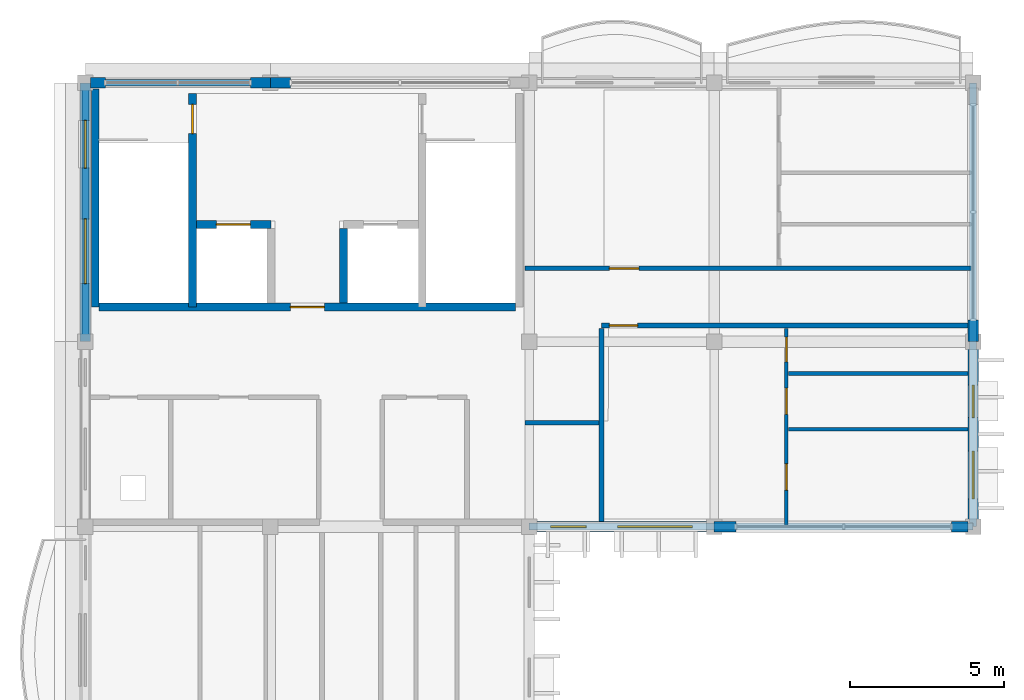
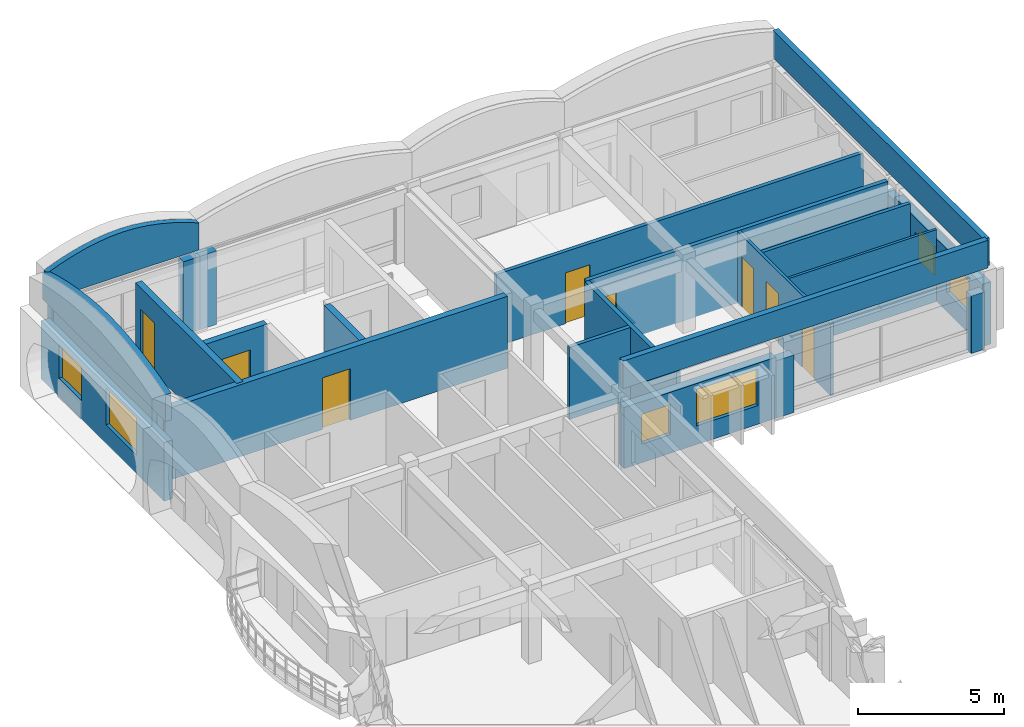
# One storey, part 7 of 12: 25 walls, 8 doors, 6 windows, 14 openings.
"""IFC4 building model written with IfcOpenShell, lengths in metres."""

from ifc_helpers import new_model, si_unit, direction, frame, frame_2d, origin, place, context, subcontext, project, spatial, polyline, rectangle, outline, extrude, material, layer, layer_set, type_object, element, fill, save


model = new_model("IFC4")

# Units and contexts
model_context = context("Model", 3, precision=1e-05, world=origin(), true_north=direction((0.0, 1.0)))
body_context = subcontext(model_context, "Body", "Model", "MODEL_VIEW")
ifc_project = project(units=[si_unit("LENGTHUNIT", "METRE"), si_unit("AREAUNIT", "SQUARE_METRE"), si_unit("VOLUMEUNIT", "CUBIC_METRE"), si_unit("PLANEANGLEUNIT", "RADIAN"), si_unit("MASSUNIT", "GRAM", prefix="KILO"), si_unit("THERMODYNAMICTEMPERATUREUNIT", "KELVIN")], contexts=[model_context])

# Site, building, storey
site_placement = place(None, origin())
site = spatial("IfcSite", under=ifc_project, at=site_placement, CompositionType="ELEMENT")
building_placement = place(site_placement, origin())
building = spatial("IfcBuilding", under=site, at=building_placement, Name="Thalorik Housing Commons", CompositionType="ELEMENT")
storey_placement = place(building_placement, frame((0.0, 0.0, 51.0)))
storey = spatial("IfcBuildingStorey", under=building, at=storey_placement, Name="L15", CompositionType="ELEMENT", Elevation=51.0)

# Wall, opening, door
ifc_material_1 = material(Name="Concrete C40/50", Category="concrete")
ifc_layer_1 = layer(ifc_material_1, 0.25, Name="Concrete C40/50", Category="concrete")
ifc_layer_set_1 = layer_set([ifc_layer_1], Name="Concrete C40/50")
wall_type_1 = type_object("IfcWallType", Name="ARC-WAL-CORE-250", PredefinedType="SHEAR", material=ifc_layer_set_1)
wall_1_placement = place(storey_placement, frame((11.875, 123.25, 0.0), z_axis=(0.0, 0.0, 1.0), x_axis=(0.0, -1.0, 0.0)))
wall_1 = element("IfcWall", 1, at=wall_1_placement, inside=storey, type_object=wall_type_1, Name="L15 Core A Stair 1 Shear Wall", PredefinedType="SHEAR", context=body_context, shape_type="SweptSolid", body=[
    extrude(rectangle(XDim=6.925048828125, YDim=0.25, at=frame_2d((3.46240234375, 0.0))), origin(), (0.0, 0.0, 1.0), 3.0),
])
opening_1_placement = place(wall_1_placement, frame((0.35009765625, 0.0, 0.0)))
opening_1 = element("IfcOpeningElement", 2, at=opening_1_placement, cuts=wall_1, Name="Opening ID-0129", PredefinedType="OPENING", context=body_context, shape_type="SweptSolid", body=[
    extrude(rectangle(XDim=0.949951171875, YDim=2.10009765625, at=frame_2d((0.47509765625, 1.050048828125))), frame((0.0, 0.135009765625, 0.0), z_axis=(0.0, -1.0, 0.0), x_axis=(1.0, 0.0, 0.0)), (0.0, 0.0, 1.0), 0.27001953125),
])
ifc_material_2 = material(Name="Steel S355", Category="steel")
door_type_1 = type_object("IfcDoorType", Name="ARC-DR-FD60-950", OperationType="NOTDEFINED", PredefinedType="DOOR", material=ifc_material_2)
door_1_placement = place(opening_1_placement, origin())
door_1 = element("IfcDoor", 3, at=door_1_placement, inside=storey, type_object=door_type_1, Name="L15 Stair ST-A1 Fire Door", OperationType="SINGLE_SWING_RIGHT", OverallHeight=2.10009765625, OverallWidth=0.949951171875, PredefinedType="DOOR", context=body_context, shape_type="SweptSolid", body=[
    extrude(rectangle(XDim=0.949951171875, YDim=2.10009765625, at=frame_2d((0.47509765625, 1.050048828125))), frame((0.0, 0.02490234375, 0.0), z_axis=(0.0, -1.0, 0.0), x_axis=(1.0, 0.0, 0.0)), (0.0, 0.0, 1.0), 0.050048828125),
])
fill(opening_1, door_1)

# Wall
wall_2_placement = place(storey_placement, frame((8.72509765625, 123.39990234375, 0.0), z_axis=(0.0, 0.0, 1.0), x_axis=(0.0, -1.0, 0.0)))
element("IfcWall", 4, at=wall_2_placement, inside=storey, type_object=wall_type_1, Name="L15 Core A Stair 1 Outer Shear Wall", PredefinedType="SHEAR", context=body_context, shape_type="SweptSolid", body=[
    extrude(rectangle(XDim=7.074951171875, YDim=0.25, at=frame_2d((3.53759765625, 0.0))), origin(), (0.0, 0.0, 1.0), 3.0),
])

# Wall, opening, door
wall_3_placement = place(storey_placement, frame((12.0, 119.0, 0.0), z_axis=(0.0, 0.0, 1.0), x_axis=(1.0, 0.0, 0.0)))
wall_3 = element("IfcWall", 5, at=wall_3_placement, inside=storey, type_object=wall_type_1, Name="L15 Lift LF-A1 Front Shaft Wall", PredefinedType="SHEAR", context=body_context, shape_type="SweptSolid", body=[
    extrude(rectangle(XDim=2.425048828125, YDim=0.25, at=frame_2d((1.21240234375, 0.0))), origin(), (0.0, 0.0, 1.0), 3.0),
])
opening_2_placement = place(wall_3_placement, frame((0.64990234375, 0.0, 0.0)))
opening_2 = element("IfcOpeningElement", 6, at=opening_2_placement, cuts=wall_3, Name="Opening LD-LF-A1-L15", PredefinedType="OPENING", context=body_context, shape_type="SweptSolid", body=[
    extrude(rectangle(XDim=1.10009765625, YDim=2.14990234375, at=frame_2d((0.550048828125, 1.074951171875))), frame((0.0, 0.135009765625, 0.0), z_axis=(0.0, -1.0, 0.0), x_axis=(1.0, 0.0, 0.0)), (0.0, 0.0, 1.0), 0.27001953125),
])
door_type_2 = type_object("IfcDoorType", Name="ARC-DR-LIFT-1100", OperationType="NOTDEFINED", PredefinedType="DOOR", material=ifc_material_2)
door_2_placement = place(opening_2_placement, origin())
door_2 = element("IfcDoor", 7, at=door_2_placement, inside=storey, type_object=door_type_2, Name="L15 Lift LF-A1 Landing Door", OperationType="SLIDING_TO_LEFT", OverallHeight=2.14990234375, OverallWidth=1.10009765625, PredefinedType="DOOR", context=body_context, shape_type="SweptSolid", body=[
    extrude(rectangle(XDim=1.10009765625, YDim=2.14990234375, at=frame_2d((0.550048828125, 1.074951171875))), frame((0.0, 0.02490234375, 0.0), z_axis=(0.0, -1.0, 0.0), x_axis=(1.0, 0.0, 0.0)), (0.0, 0.0, 1.0), 0.050048828125),
])
fill(opening_2, door_2)

# Wall
wall_4_placement = place(storey_placement, frame((16.77490234375, 118.875, 0.0), z_axis=(0.0, 0.0, 1.0), x_axis=(0.0, -1.0, 0.0)))
element("IfcWall", 8, at=wall_4_placement, inside=storey, type_object=wall_type_1, Name="L15 Lift 2 Cheek Wall", PredefinedType="SHEAR", context=body_context, shape_type="SweptSolid", body=[
    extrude(rectangle(XDim=2.425048828125, YDim=0.25, at=frame_2d((1.21240234375, 0.0))), origin(), (0.0, 0.0, 1.0), 3.0),
])

# Wall, opening, door
wall_5_placement = place(storey_placement, frame((8.85009765625, 116.324951171875, 0.0), z_axis=(0.0, 0.0, 1.0), x_axis=(1.0, 0.0, 0.0)))
wall_5 = element("IfcWall", 9, at=wall_5_placement, inside=storey, type_object=wall_type_1, Name="L15 Core A Spine Shear Wall", PredefinedType="SHEAR", context=body_context, shape_type="SweptSolid", body=[
    extrude(rectangle(XDim=13.5, YDim=0.25, at=frame_2d((6.75, 0.0))), origin(), (0.0, 0.0, 1.0), 3.0),
])
opening_3_placement = place(wall_5_placement, frame((6.199951171875, 0.0, 0.0)))
opening_3 = element("IfcOpeningElement", 10, at=opening_3_placement, cuts=wall_5, Name="Opening ID-0133", PredefinedType="OPENING", context=body_context, shape_type="SweptSolid", body=[
    extrude(rectangle(XDim=1.10009765625, YDim=2.14990234375, at=frame_2d((0.550048828125, 1.074951171875))), frame((0.0, 0.135009765625, 0.0), z_axis=(0.0, -1.0, 0.0), x_axis=(1.0, 0.0, 0.0)), (0.0, 0.0, 1.0), 0.27001953125),
])
door_type_3 = type_object("IfcDoorType", Name="ARC-DR-FD60-1100", OperationType="NOTDEFINED", PredefinedType="DOOR", material=ifc_material_2)
door_3_placement = place(opening_3_placement, origin())
door_3 = element("IfcDoor", 11, at=door_3_placement, inside=storey, type_object=door_type_3, Name="L15 Core A Lobby Fire Door", OperationType="SINGLE_SWING_RIGHT", OverallHeight=2.14990234375, OverallWidth=1.10009765625, PredefinedType="DOOR", context=body_context, shape_type="SweptSolid", body=[
    extrude(rectangle(XDim=1.10009765625, YDim=2.14990234375, at=frame_2d((0.550048828125, 1.074951171875))), frame((0.0, 0.02490234375, 0.0), z_axis=(0.0, -1.0, 0.0), x_axis=(1.0, 0.0, 0.0)), (0.0, 0.0, 1.0), 0.050048828125),
])
fill(opening_3, door_3)

# Wall
ifc_material_3 = material(Name="Masonry fire-rated corridor wall", Category="masonry")
ifc_layer_2 = layer(ifc_material_3, 0.14990234375, Name="Masonry fire-rated corridor wall", Category="masonry")
ifc_layer_set_2 = layer_set([ifc_layer_2], Name="Masonry fire-rated corridor wall")
wall_type_2 = type_object("IfcWallType", Name="ARC-WAL-CORR-150", PredefinedType="PARTITIONING", material=ifc_layer_set_2)
wall_6_placement = place(storey_placement, frame((22.659912109375, 112.570068359375, 0.0), z_axis=(0.0, 0.0, 1.0), x_axis=(1.0, 0.0, 0.0)))
element("IfcWall", 12, at=wall_6_placement, inside=storey, type_object=wall_type_2, Name="L15 Block A Vestibule South Wall", PredefinedType="PARTITIONING", context=body_context, shape_type="SweptSolid", body=[
    extrude(rectangle(XDim=2.405517578125, YDim=0.14990234375, at=frame_2d((1.20263671875, 0.0))), origin(), (0.0, 0.0, 1.0), 3.0),
])

# Wall, opening, door
wall_7_placement = place(storey_placement, frame((22.659912109375, 117.580078125, 0.0), z_axis=(0.0, 0.0, 1.0), x_axis=(1.0, 0.0, 0.0)))
wall_7 = element("IfcWall", 13, at=wall_7_placement, inside=storey, type_object=wall_type_2, Name="L15 Block A N Corridor Wall 2", PredefinedType="PARTITIONING", context=body_context, shape_type="SweptSolid", body=[
    extrude(rectangle(XDim=14.47998046875, YDim=0.14990234375, at=frame_2d((7.239990234375, 0.0))), origin(), (0.0, 0.0, 1.0), 3.0),
])
opening_4_placement = place(wall_7_placement, frame((2.739990234375, 0.0, 0.0)))
opening_4 = element("IfcOpeningElement", 14, at=opening_4_placement, cuts=wall_7, Name="Opening ID-0980", PredefinedType="OPENING", context=body_context, shape_type="SweptSolid", body=[
    extrude(rectangle(XDim=0.9599609375, YDim=2.1201171875, at=frame_2d((0.47998046875, 1.06005859375))), frame((0.0, 0.0849609375, 0.0), z_axis=(0.0, -1.0, 0.0), x_axis=(1.0, 0.0, 0.0)), (0.0, 0.0, 1.0), 0.169921875),
])
ifc_material_4 = material(Name="Solid core hardwood timber", Category="wood")
door_type_4 = type_object("IfcDoorType", Name="ARC-DR-FD30-960", OperationType="NOTDEFINED", PredefinedType="DOOR", material=ifc_material_4)
door_4_placement = place(opening_4_placement, origin())
door_4 = element("IfcDoor", 15, at=door_4_placement, inside=storey, type_object=door_type_4, Name="L15 Flat AN-1B Entrance Door", OperationType="SINGLE_SWING_LEFT", OverallHeight=2.1201171875, OverallWidth=0.9599609375, PredefinedType="DOOR", context=body_context, shape_type="SweptSolid", body=[
    extrude(rectangle(XDim=0.9599609375, YDim=2.1201171875, at=frame_2d((0.47998046875, 1.06005859375))), frame((0.0, 0.02490234375, 0.0), z_axis=(0.0, -1.0, 0.0), x_axis=(1.0, 0.0, 0.0)), (0.0, 0.0, 1.0), 0.050048828125),
])
fill(opening_4, door_4)

# Wall
ifc_layer_3 = layer(ifc_material_3, 0.1650390625, Name="Masonry fire-rated corridor wall", Category="masonry")
ifc_layer_set_3 = layer_set([ifc_layer_3], Name="Masonry fire-rated corridor wall")
wall_type_3 = type_object("IfcWallType", Name="ARC-WAL-CORR-165", PredefinedType="PARTITIONING", material=ifc_layer_set_3)
wall_8_placement = place(storey_placement, frame((25.14990234375, 109.369384765625, 0.0), z_axis=(0.0, 0.0, 1.0), x_axis=(0.0, 1.0, 0.0)))
element("IfcWall", 16, at=wall_8_placement, inside=storey, type_object=wall_type_3, Name="L15 Block A Vestibule Cheek Wall", PredefinedType="PARTITIONING", context=body_context, shape_type="SweptSolid", body=[
    extrude(rectangle(XDim=6.26611328125, YDim=0.1650390625, at=frame_2d((3.133056640625, 0.0))), origin(), (0.0, 0.0, 1.0), 3.0),
])

# Wall, opening, door
wall_9_placement = place(storey_placement, frame((25.14990234375, 115.719970703125, 0.0), z_axis=(0.0, 0.0, 1.0), x_axis=(1.0, 0.0, 0.0)))
wall_9 = element("IfcWall", 17, at=wall_9_placement, inside=storey, type_object=wall_type_3, Name="L15 Block A N Corridor Wall 1", PredefinedType="PARTITIONING", context=body_context, shape_type="SweptSolid", body=[
    extrude(rectangle(XDim=11.880615234375, YDim=0.1650390625, at=frame_2d((5.9404296875, 0.0))), origin(), (0.0, 0.0, 1.0), 3.0),
])
opening_5_placement = place(wall_9_placement, frame((0.25, 0.0, 0.0)))
opening_5 = element("IfcOpeningElement", 18, at=opening_5_placement, cuts=wall_9, Name="Opening ID-0979", PredefinedType="OPENING", context=body_context, shape_type="SweptSolid", body=[
    extrude(rectangle(XDim=0.919921875, YDim=2.10009765625, at=frame_2d((0.4599609375, 1.050048828125))), frame((0.0, 0.092529296875, 0.0), z_axis=(0.0, -1.0, 0.0), x_axis=(1.0, 0.0, 0.0)), (0.0, 0.0, 1.0), 0.18505859375),
])
door_type_5 = type_object("IfcDoorType", Name="ARC-DR-FD30-920", OperationType="NOTDEFINED", PredefinedType="DOOR", material=ifc_material_4)
door_5_placement = place(opening_5_placement, origin())
door_5 = element("IfcDoor", 19, at=door_5_placement, inside=storey, type_object=door_type_5, Name="L15 Flat AN-1A Entrance Door", OperationType="SINGLE_SWING_RIGHT", OverallHeight=2.10009765625, OverallWidth=0.919921875, PredefinedType="DOOR", context=body_context, shape_type="SweptSolid", body=[
    extrude(rectangle(XDim=0.919921875, YDim=2.10009765625, at=frame_2d((0.4599609375, 1.050048828125))), frame((0.0, 0.02490234375, 0.0), z_axis=(0.0, -1.0, 0.0), x_axis=(1.0, 0.0, 0.0)), (0.0, 0.0, 1.0), 0.050048828125),
])
fill(opening_5, door_5)

# Wall, openings, windows
ifc_material_5 = material(Name="White precast concrete C40/50", Category="concrete")
ifc_layer_4 = layer(ifc_material_5, 0.3349609375, Name="White precast concrete C40/50", Category="concrete")
ifc_layer_set_4 = layer_set([ifc_layer_4], Name="White precast concrete C40/50")
wall_type_4 = type_object("IfcWallType", Name="ARC-WAL-EXT-335", PredefinedType="STANDARD", material=ifc_layer_set_4)
wall_10_placement = place(storey_placement, frame((22.800048828125, 109.199951171875, 0.0), z_axis=(0.0, 0.0, 1.0), x_axis=(1.0, 0.0, 0.0)))
wall_10 = element("IfcWall", 20, at=wall_10_placement, inside=storey, type_object=wall_type_4, Name="L15 Exterior Wall WAL-EXT-L15-A-0351", PredefinedType="STANDARD", context=body_context, shape_type="SweptSolid", body=[
    extrude(rectangle(XDim=6.0, YDim=0.3349609375, at=frame_2d((3.0, 0.0))), origin(), (0.0, 0.0, 1.0), 2.544921875),
])
opening_6_placement = place(wall_10_placement, frame((0.695068359375, 0.0, 0.780029296875)))
opening_6 = element("IfcOpeningElement", 21, at=opening_6_placement, cuts=wall_10, Name="Opening W-45", PredefinedType="OPENING", context=body_context, shape_type="SweptSolid", body=[
    extrude(rectangle(XDim=1.14990234375, YDim=1.25, at=frame_2d((0.574951171875, 0.625))), frame((0.0, 0.177490234375, 0.0), z_axis=(0.0, -1.0, 0.0), x_axis=(1.0, 0.0, 0.0)), (0.0, 0.0, 1.0), 0.35498046875),
])
opening_7_placement = place(wall_10_placement, frame((2.8701171875, 0.0, 0.780029296875)))
opening_7 = element("IfcOpeningElement", 22, at=opening_7_placement, cuts=wall_10, Name="Opening W-70", PredefinedType="OPENING", context=body_context, shape_type="SweptSolid", body=[
    extrude(rectangle(XDim=2.419921875, YDim=1.52001953125, at=frame_2d((1.2099609375, 0.760009765625))), frame((0.0, 0.177490234375, 0.0), z_axis=(0.0, -1.0, 0.0), x_axis=(1.0, 0.0, 0.0)), (0.0, 0.0, 1.0), 0.35498046875),
])
ifc_material_6 = material(Name="Anodised aluminium and solar-control low-E glass", Category="aluminium")
window_type_1 = type_object("IfcWindowType", Name="ARC-WIN-45", PartitioningType="SINGLE_PANEL", PredefinedType="WINDOW", material=ifc_material_6)
window_1_placement = place(opening_6_placement, origin())
window_1 = element("IfcWindow", 23, at=window_1_placement, inside=storey, type_object=window_type_1, Name="L15 Facade Window 630", OverallHeight=1.25, OverallWidth=1.14990234375, PartitioningType="SINGLE_PANEL", PredefinedType="WINDOW", context=body_context, shape_type="SweptSolid", body=[
    extrude(rectangle(XDim=1.14990234375, YDim=1.25, at=frame_2d((0.574951171875, 0.625))), frame((0.0, 0.030029296875, 0.0), z_axis=(0.0, -1.0, 0.0), x_axis=(1.0, 0.0, 0.0)), (0.0, 0.0, 1.0), 0.06005859375),
])
fill(opening_6, window_1)
window_type_2 = type_object("IfcWindowType", Name="ARC-WIN-70", PartitioningType="DOUBLE_PANEL_VERTICAL", PredefinedType="WINDOW", material=ifc_material_6)
window_2_placement = place(opening_7_placement, origin())
window_2 = element("IfcWindow", 24, at=window_2_placement, inside=storey, type_object=window_type_2, Name="L15 Facade Window 631", OverallHeight=1.52001953125, OverallWidth=2.419921875, PartitioningType="DOUBLE_PANEL_VERTICAL", PredefinedType="WINDOW", context=body_context, shape_type="SweptSolid", body=[
    extrude(rectangle(XDim=2.419921875, YDim=1.52001953125, at=frame_2d((1.2099609375, 0.760009765625))), frame((0.0, 0.030029296875, 0.0), z_axis=(0.0, -1.0, 0.0), x_axis=(1.0, 0.0, 0.0)), (0.0, 0.0, 1.0), 0.06005859375),
])
fill(opening_7, window_2)

# Walls
wall_11_placement = place(storey_placement, frame((28.800048828125, 109.199951171875, 0.0), z_axis=(0.0, 0.0, 1.0), x_axis=(1.0, 0.0, 0.0)))
element("IfcWall", 25, at=wall_11_placement, inside=storey, type_object=wall_type_4, Name="L15 Exterior Wall WAL-PIERL-L15-A-0352", PredefinedType="STANDARD", context=body_context, shape_type="SweptSolid", body=[
    extrude(rectangle(XDim=0.699951171875, YDim=0.3349609375, at=frame_2d((0.35009765625, 0.0))), origin(), (0.0, 0.0, 1.0), 2.39501953125),
])
wall_12_placement = place(storey_placement, frame((36.5, 109.199951171875, 0.0), z_axis=(0.0, 0.0, 1.0), x_axis=(1.0, 0.0, 0.0)))
element("IfcWall", 26, at=wall_12_placement, inside=storey, type_object=wall_type_4, Name="L15 Exterior Wall WAL-PIERR-L15-A-0352", PredefinedType="STANDARD", context=body_context, shape_type="SweptSolid", body=[
    extrude(rectangle(XDim=0.530517578125, YDim=0.3349609375, at=frame_2d((0.26513671875, 0.0))), origin(), (0.0, 0.0, 1.0), 2.39501953125),
])

# Wall, openings, windows
wall_13_placement = place(storey_placement, frame((37.199951171875, 109.199951171875, 0.0), z_axis=(0.0, 0.0, 1.0), x_axis=(0.0, 1.0, 0.0)))
wall_13 = element("IfcWall", 27, at=wall_13_placement, inside=storey, type_object=wall_type_4, Name="L15 Exterior Wall WAL-EXT-L15-A-0353", PredefinedType="STANDARD", context=body_context, shape_type="SweptSolid", body=[
    extrude(rectangle(XDim=6.0, YDim=0.3349609375, at=frame_2d((3.0, 0.0))), origin(), (0.0, 0.0, 1.0), 2.594970703125),
])
opening_8_placement = place(wall_13_placement, frame((0.900390625, 0.0, 0.780029296875)))
opening_8 = element("IfcOpeningElement", 28, at=opening_8_placement, cuts=wall_13, Name="Opening W-12", PredefinedType="OPENING", context=body_context, shape_type="SweptSolid", body=[
    extrude(rectangle(XDim=1.550048828125, YDim=1.39990234375, at=frame_2d((0.77490234375, 0.699951171875))), frame((0.0, 0.177490234375, 0.0), z_axis=(0.0, -1.0, 0.0), x_axis=(1.0, 0.0, 0.0)), (0.0, 0.0, 1.0), 0.35498046875),
])
opening_9_placement = place(wall_13_placement, frame((3.540283203125, 0.0, 0.780029296875)))
opening_9 = element("IfcOpeningElement", 29, at=opening_9_placement, cuts=wall_13, Name="Opening W-44", PredefinedType="OPENING", context=body_context, shape_type="SweptSolid", body=[
    extrude(rectangle(XDim=1.050048828125, YDim=1.199951171875, at=frame_2d((0.52490234375, 0.60009765625))), frame((0.0, 0.177490234375, 0.0), z_axis=(0.0, -1.0, 0.0), x_axis=(1.0, 0.0, 0.0)), (0.0, 0.0, 1.0), 0.35498046875),
])
window_type_3 = type_object("IfcWindowType", Name="ARC-WIN-12", PartitioningType="SINGLE_PANEL", PredefinedType="WINDOW", material=ifc_material_6)
window_3_placement = place(opening_8_placement, origin())
window_3 = element("IfcWindow", 30, at=window_3_placement, inside=storey, type_object=window_type_3, Name="L15 Facade Window 632", OverallHeight=1.39990234375, OverallWidth=1.550048828125, PartitioningType="SINGLE_PANEL", PredefinedType="WINDOW", context=body_context, shape_type="SweptSolid", body=[
    extrude(rectangle(XDim=1.550048828125, YDim=1.39990234375, at=frame_2d((0.77490234375, 0.699951171875))), frame((0.0, 0.030029296875, 0.0), z_axis=(0.0, -1.0, 0.0), x_axis=(1.0, 0.0, 0.0)), (0.0, 0.0, 1.0), 0.06005859375),
])
fill(opening_8, window_3)
window_type_4 = type_object("IfcWindowType", Name="ARC-WIN-44", PartitioningType="SINGLE_PANEL", PredefinedType="WINDOW", material=ifc_material_6)
window_4_placement = place(opening_9_placement, origin())
window_4 = element("IfcWindow", 31, at=window_4_placement, inside=storey, type_object=window_type_4, Name="L15 Facade Window 633", OverallHeight=1.199951171875, OverallWidth=1.050048828125, PartitioningType="SINGLE_PANEL", PredefinedType="WINDOW", context=body_context, shape_type="SweptSolid", body=[
    extrude(rectangle(XDim=1.050048828125, YDim=1.199951171875, at=frame_2d((0.52490234375, 0.60009765625))), frame((0.0, 0.030029296875, 0.0), z_axis=(0.0, -1.0, 0.0), x_axis=(1.0, 0.0, 0.0)), (0.0, 0.0, 1.0), 0.06005859375),
])
fill(opening_9, window_4)

# Walls
wall_14_placement = place(storey_placement, frame((37.199951171875, 115.199951171875, 0.0), z_axis=(0.0, 0.0, 1.0), x_axis=(0.0, 1.0, 0.0)))
element("IfcWall", 32, at=wall_14_placement, inside=storey, type_object=wall_type_4, Name="L15 Exterior Wall WAL-PIERL-L15-A-0354", PredefinedType="STANDARD", context=body_context, shape_type="SweptSolid", body=[
    extrude(rectangle(XDim=0.699951171875, YDim=0.3349609375, at=frame_2d((0.35009765625, 0.0))), origin(), (0.0, 0.0, 1.0), 2.445068359375),
])
wall_15_placement = place(storey_placement, frame((15.050048828125, 123.60009765625, 0.0), z_axis=(0.0, 0.0, 1.0), x_axis=(-1.0, 0.0, 0.0)))
element("IfcWall", 33, at=wall_15_placement, inside=storey, type_object=wall_type_4, Name="L15 Exterior Wall WAL-PIERR-L15-A-0357", PredefinedType="STANDARD", context=body_context, shape_type="SweptSolid", body=[
    extrude(rectangle(XDim=0.650146484375, YDim=0.3349609375, at=frame_2d((0.3251953125, 0.0))), origin(), (0.0, 0.0, 1.0), 3.06005859375),
])
wall_16_placement = place(storey_placement, frame((14.39990234375, 123.60009765625, 0.0), z_axis=(0.0, 0.0, 1.0), x_axis=(-1.0, 0.0, 0.0)))
element("IfcWall", 34, at=wall_16_placement, inside=storey, type_object=wall_type_4, Name="L15 Exterior Wall WAL-PIERL-L15-A-0358", PredefinedType="STANDARD", context=body_context, shape_type="SweptSolid", body=[
    extrude(rectangle(XDim=0.64990234375, YDim=0.3349609375, at=frame_2d((0.324951171875, 0.0))), origin(), (0.0, 0.0, 1.0), 3.06005859375),
])
wall_17_placement = place(storey_placement, frame((9.050048828125, 123.60009765625, 0.0), z_axis=(0.0, 0.0, 1.0), x_axis=(-1.0, 0.0, 0.0)))
element("IfcWall", 35, at=wall_17_placement, inside=storey, type_object=wall_type_4, Name="L15 Exterior Wall WAL-PIERR-L15-A-0358", PredefinedType="STANDARD", context=body_context, shape_type="SweptSolid", body=[
    extrude(rectangle(XDim=0.48046875, YDim=0.3349609375, at=frame_2d((0.240234375, 0.0))), origin(), (0.0, 0.0, 1.0), 3.06005859375),
])

# Wall, openings, windows
wall_18_placement = place(storey_placement, frame((8.39990234375, 123.60009765625, 0.0), z_axis=(0.0, 0.0, 1.0), x_axis=(0.0, -1.0, 0.0)))
wall_18 = element("IfcWall", 36, at=wall_18_placement, inside=storey, type_object=wall_type_4, Name="L15 Exterior Wall WAL-EXT-L15-A-0359", PredefinedType="STANDARD", context=body_context, shape_type="SweptSolid", body=[
    extrude(rectangle(XDim=8.400146484375, YDim=0.3349609375, at=frame_2d((4.2001953125, 0.0))), origin(), (0.0, 0.0, 1.0), 2.445068359375),
])
opening_10_placement = place(wall_18_placement, frame((1.22119140625, 0.0, 0.780029296875)))
opening_10 = element("IfcOpeningElement", 37, at=opening_10_placement, cuts=wall_18, Name="Opening W-12", PredefinedType="OPENING", context=body_context, shape_type="SweptSolid", body=[
    extrude(rectangle(XDim=1.550048828125, YDim=1.39990234375, at=frame_2d((0.77490234375, 0.699951171875))), frame((0.0, 0.177490234375, 0.0), z_axis=(0.0, -1.0, 0.0), x_axis=(1.0, 0.0, 0.0)), (0.0, 0.0, 1.0), 0.35498046875),
])
opening_11_placement = place(wall_18_placement, frame((4.418701171875, 0.0, 0.780029296875)))
opening_11 = element("IfcOpeningElement", 38, at=opening_11_placement, cuts=wall_18, Name="Opening W-26", PredefinedType="OPENING", context=body_context, shape_type="SweptSolid", body=[
    extrude(rectangle(XDim=2.10009765625, YDim=1.550048828125, at=frame_2d((1.050048828125, 0.77490234375))), frame((0.0, 0.177490234375, 0.0), z_axis=(0.0, -1.0, 0.0), x_axis=(1.0, 0.0, 0.0)), (0.0, 0.0, 1.0), 0.35498046875),
])
window_5_placement = place(opening_10_placement, origin())
window_5 = element("IfcWindow", 39, at=window_5_placement, inside=storey, type_object=window_type_3, Name="L15 Facade Window 637", OverallHeight=1.39990234375, OverallWidth=1.550048828125, PartitioningType="SINGLE_PANEL", PredefinedType="WINDOW", context=body_context, shape_type="SweptSolid", body=[
    extrude(rectangle(XDim=1.550048828125, YDim=1.39990234375, at=frame_2d((0.77490234375, 0.699951171875))), frame((0.0, 0.030029296875, 0.0), z_axis=(0.0, -1.0, 0.0), x_axis=(1.0, 0.0, 0.0)), (0.0, 0.0, 1.0), 0.06005859375),
])
fill(opening_10, window_5)
window_type_5 = type_object("IfcWindowType", Name="ARC-WIN-26", PartitioningType="DOUBLE_PANEL_VERTICAL", PredefinedType="WINDOW", material=ifc_material_6)
window_6_placement = place(opening_11_placement, origin())
window_6 = element("IfcWindow", 40, at=window_6_placement, inside=storey, type_object=window_type_5, Name="L15 Facade Window 638", OverallHeight=1.550048828125, OverallWidth=2.10009765625, PartitioningType="DOUBLE_PANEL_VERTICAL", PredefinedType="WINDOW", context=body_context, shape_type="SweptSolid", body=[
    extrude(rectangle(XDim=2.10009765625, YDim=1.550048828125, at=frame_2d((1.050048828125, 0.77490234375))), frame((0.0, 0.030029296875, 0.0), z_axis=(0.0, -1.0, 0.0), x_axis=(1.0, 0.0, 0.0)), (0.0, 0.0, 1.0), 0.06005859375),
])
fill(opening_11, window_6)

# Walls
ifc_layer_5 = layer(ifc_material_5, 0.22509765625, Name="White precast concrete C40/50", Category="concrete")
ifc_layer_set_5 = layer_set([ifc_layer_5], Name="White precast concrete C40/50")
wall_type_5 = type_object("IfcWallType", Name="ARC-WAL-PAR-225", PredefinedType="PARAPET", material=ifc_layer_set_5)
wall_19_placement = place(storey_placement, frame((22.800048828125, 109.199951171875, 3.300048828125), z_axis=(0.0, 0.0, 1.0), x_axis=(1.0, 0.0, 0.0)))
element("IfcWall", 41, at=wall_19_placement, inside=storey, type_object=wall_type_5, Name="L15 Block A Roof Parapet 1", PredefinedType="PARAPET", context=body_context, shape_type="SweptSolid", body=[
    extrude(rectangle(XDim=14.39990234375, YDim=0.22509765625, at=frame_2d((7.199951171875, 0.0))), origin(), (0.0, 0.0, 1.0), 1.14990234375),
])
wall_20_placement = place(storey_placement, frame((37.199951171875, 109.199951171875, 3.300048828125), z_axis=(0.0, 0.0, 1.0), x_axis=(0.0, 1.0, 0.0)))
element("IfcWall", 42, at=wall_20_placement, inside=storey, type_object=wall_type_5, Name="L15 Block A Roof Parapet 2", PredefinedType="PARAPET", context=body_context, shape_type="SweptSolid", body=[
    extrude(rectangle(XDim=14.400146484375, YDim=0.22509765625, at=frame_2d((7.2001953125, 0.0))), origin(), (0.0, 0.0, 1.0), 1.14990234375),
])
wall_21_placement = place(storey_placement, frame((14.39990234375, 123.60009765625, 3.300048828125), z_axis=(0.0, 0.0, 1.0), x_axis=(-1.0, 0.0, 0.0)))
element("IfcWall", 43, at=wall_21_placement, inside=storey, type_object=wall_type_5, Name="L15 Block A Scalloped Arched Roof Parapet 6", PredefinedType="PARAPET", context=body_context, shape_type="SweptSolid", body=[
    extrude(outline(polyline([(0.0, 0.0), (6.0, 0.0), (6.0, 1.119873046875), (5.5, 1.321533203125), (5.0, 1.484375), (4.5, 1.61767578125), (4.0, 1.71728515625), (3.5, 1.779052734375), (3.0, 1.800048828125), (2.5, 1.779052734375), (2.0, 1.71728515625), (1.5, 1.61767578125), (1.0, 1.484375), (0.5, 1.321533203125), (0.0, 1.119873046875), (0.0, 0.0)])), frame((0.0, 0.112548828125, 0.0), z_axis=(0.0, -1.0, 0.0), x_axis=(1.0, 0.0, 0.0)), (0.0, 0.0, 1.0), 0.22509765625),
])
wall_22_placement = place(storey_placement, frame((8.39990234375, 123.60009765625, 3.300048828125), z_axis=(0.0, 0.0, 1.0), x_axis=(0.0, -1.0, 0.0)))
element("IfcWall", 44, at=wall_22_placement, inside=storey, type_object=wall_type_5, Name="L15 Block A Scalloped Arched Roof Parapet 7", PredefinedType="PARAPET", context=body_context, shape_type="SweptSolid", body=[
    extrude(outline(polyline([(0.0, 0.0), (8.400146484375, 0.0), (8.39990234375, 1.119873046875), (7.699951171875, 1.321533203125), (7.0, 1.484375), (6.300048828125, 1.61767578125), (5.60009765625, 1.71728515625), (4.89990234375, 1.779052734375), (4.199951171875, 1.800048828125), (3.5, 1.779052734375), (2.800048828125, 1.71728515625), (2.10009765625, 1.61767578125), (1.39990234375, 1.484375), (0.699951171875, 1.321533203125), (0.0, 1.119873046875), (0.0, 0.0)])), frame((0.0, 0.112548828125, 0.0), z_axis=(0.0, -1.0, 0.0), x_axis=(1.0, 0.0, 0.0)), (0.0, 0.0, 1.0), 0.22509765625),
])
ifc_material_7 = material(Name="Gypsum light stud partition", Category="masonry")
ifc_layer_6 = layer(ifc_material_7, 0.10009765625, Name="Gypsum light stud partition", Category="masonry")
ifc_layer_set_6 = layer_set([ifc_layer_6], Name="Gypsum light stud partition")
wall_type_6 = type_object("IfcWallType", Name="ARC-WAL-PART-100", PredefinedType="PARTITIONING", material=ifc_layer_set_6)
wall_23_placement = place(storey_placement, frame((31.20458984375, 112.36083984375, 0.0), z_axis=(0.0, 0.0, 1.0), x_axis=(1.0, 0.0, 0.0)))
element("IfcWall", 45, at=wall_23_placement, inside=storey, type_object=wall_type_6, Name="L15 Unit 1 Bedroom Partition", PredefinedType="PARTITIONING", context=body_context, shape_type="SweptSolid", body=[
    extrude(rectangle(XDim=5.825927734375, YDim=0.10009765625, at=frame_2d((2.9130859375, 0.0))), origin(), (0.0, 0.0, 1.0), 3.0),
])

# Wall, openings, doors
ifc_material_8 = material(Name="Gypsum moisture-resistant partition", Category="masonry")
ifc_layer_7 = layer(ifc_material_8, 0.114990234375, Name="Gypsum moisture-resistant partition", Category="masonry")
ifc_layer_set_7 = layer_set([ifc_layer_7], Name="Gypsum moisture-resistant partition")
wall_type_7 = type_object("IfcWallType", Name="ARC-WAL-PART-115", PredefinedType="PARTITIONING", material=ifc_layer_set_7)
wall_24_placement = place(storey_placement, frame((31.14501953125, 109.260009765625, 0.0), z_axis=(0.0, 0.0, 1.0), x_axis=(0.0, 1.0, 0.0)))
wall_24 = element("IfcWall", 46, at=wall_24_placement, inside=storey, type_object=wall_type_7, Name="L15 Unit 1 Spine Partition", PredefinedType="PARTITIONING", context=body_context, shape_type="SweptSolid", body=[
    extrude(rectangle(XDim=6.37548828125, YDim=0.114990234375, at=frame_2d((3.187744140625, 0.0))), origin(), (0.0, 0.0, 1.0), 3.0),
])
opening_12_placement = place(wall_24_placement, frame((1.12548828125, 0.0, 0.0)))
opening_12 = element("IfcOpeningElement", 47, at=opening_12_placement, cuts=wall_24, Name="Opening ID-0973", PredefinedType="OPENING", context=body_context, shape_type="SweptSolid", body=[
    extrude(rectangle(XDim=0.85009765625, YDim=2.10009765625, at=frame_2d((0.425048828125, 1.050048828125))), frame((0.0, 0.0673828125, 0.0), z_axis=(0.0, -1.0, 0.0), x_axis=(1.0, 0.0, 0.0)), (0.0, 0.0, 1.0), 0.135009765625),
])
opening_13_placement = place(wall_24_placement, frame((3.580078125, 0.0, 0.0)))
opening_13 = element("IfcOpeningElement", 48, at=opening_13_placement, cuts=wall_24, Name="Opening ID-0974", PredefinedType="OPENING", context=body_context, shape_type="SweptSolid", body=[
    extrude(rectangle(XDim=0.85009765625, YDim=2.10009765625, at=frame_2d((0.425048828125, 1.050048828125))), frame((0.0, 0.0673828125, 0.0), z_axis=(0.0, -1.0, 0.0), x_axis=(1.0, 0.0, 0.0)), (0.0, 0.0, 1.0), 0.135009765625),
])
opening_14_placement = place(wall_24_placement, frame((5.284912109375, 0.0, 0.0)))
opening_14 = element("IfcOpeningElement", 49, at=opening_14_placement, cuts=wall_24, Name="Opening ID-0975", PredefinedType="OPENING", context=body_context, shape_type="SweptSolid", body=[
    extrude(rectangle(XDim=0.800048828125, YDim=2.10009765625, at=frame_2d((0.39990234375, 1.050048828125))), frame((0.0, 0.0673828125, 0.0), z_axis=(0.0, -1.0, 0.0), x_axis=(1.0, 0.0, 0.0)), (0.0, 0.0, 1.0), 0.135009765625),
])
ifc_material_9 = material(Name="Moisture-resistant timber", Category="wood")
door_type_6 = type_object("IfcDoorType", Name="ARC-DR-INT-800", OperationType="NOTDEFINED", PredefinedType="DOOR", material=ifc_material_9)
door_6_placement = place(opening_14_placement, origin())
door_6 = element("IfcDoor", 50, at=door_6_placement, inside=storey, type_object=door_type_6, Name="L15 Flat Bathroom Door", OperationType="SINGLE_SWING_RIGHT", OverallHeight=2.10009765625, OverallWidth=0.800048828125, PredefinedType="DOOR", context=body_context, shape_type="SweptSolid", body=[
    extrude(rectangle(XDim=0.800048828125, YDim=2.10009765625, at=frame_2d((0.39990234375, 1.050048828125))), frame((0.0, 0.02490234375, 0.0), z_axis=(0.0, -1.0, 0.0), x_axis=(1.0, 0.0, 0.0)), (0.0, 0.0, 1.0), 0.050048828125),
])
fill(opening_14, door_6)
ifc_material_10 = material(Name="Engineered oak timber", Category="wood")
door_type_7 = type_object("IfcDoorType", Name="ARC-DR-INT-850", OperationType="NOTDEFINED", PredefinedType="DOOR", material=ifc_material_10)
door_7_placement = place(opening_12_placement, origin())
door_7 = element("IfcDoor", 51, at=door_7_placement, inside=storey, type_object=door_type_7, Name="L15 Double Bedroom Door", OperationType="SINGLE_SWING_RIGHT", OverallHeight=2.10009765625, OverallWidth=0.85009765625, PredefinedType="DOOR", context=body_context, shape_type="SweptSolid", body=[
    extrude(rectangle(XDim=0.85009765625, YDim=2.10009765625, at=frame_2d((0.425048828125, 1.050048828125))), frame((0.0, 0.02490234375, 0.0), z_axis=(0.0, -1.0, 0.0), x_axis=(1.0, 0.0, 0.0)), (0.0, 0.0, 1.0), 0.050048828125),
])
fill(opening_12, door_7)
door_8_placement = place(opening_13_placement, origin())
door_8 = element("IfcDoor", 52, at=door_8_placement, inside=storey, type_object=door_type_7, Name="L15 Galley Kitchen Door", OperationType="SINGLE_SWING_LEFT", OverallHeight=2.10009765625, OverallWidth=0.85009765625, PredefinedType="DOOR", context=body_context, shape_type="SweptSolid", body=[
    extrude(rectangle(XDim=0.85009765625, YDim=2.10009765625, at=frame_2d((0.425048828125, 1.050048828125))), frame((0.0, 0.02490234375, 0.0), z_axis=(0.0, -1.0, 0.0), x_axis=(1.0, 0.0, 0.0)), (0.0, 0.0, 1.0), 0.050048828125),
])
fill(opening_13, door_8)

# Wall
ifc_material_11 = material(Name="Ceramic masonry partition wall", Category="masonry")
ifc_layer_8 = layer(ifc_material_11, 0.139892578125, Name="Ceramic masonry partition wall", Category="masonry")
ifc_layer_set_8 = layer_set([ifc_layer_8], Name="Ceramic masonry partition wall")
wall_type_8 = type_object("IfcWallType", Name="ARC-WAL-PART-140", PredefinedType="PARTITIONING", material=ifc_layer_set_8)
wall_25_placement = place(storey_placement, frame((31.20458984375, 114.169677734375, 0.0), z_axis=(0.0, 0.0, 1.0), x_axis=(1.0, 0.0, 0.0)))
element("IfcWall", 53, at=wall_25_placement, inside=storey, type_object=wall_type_8, Name="L15 Unit 1 Wet Wall", PredefinedType="PARTITIONING", context=body_context, shape_type="SweptSolid", body=[
    extrude(rectangle(XDim=5.825927734375, YDim=0.139892578125, at=frame_2d((2.9130859375, 0.0))), origin(), (0.0, 0.0, 1.0), 3.0),
])

save(model, "model.ifc")
